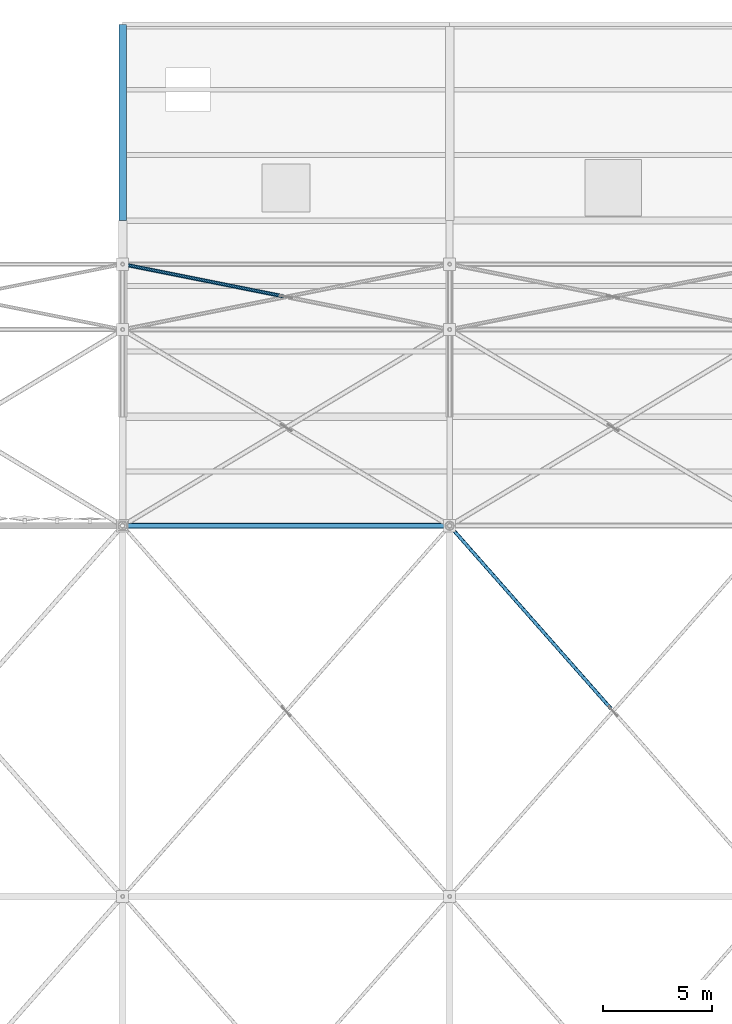
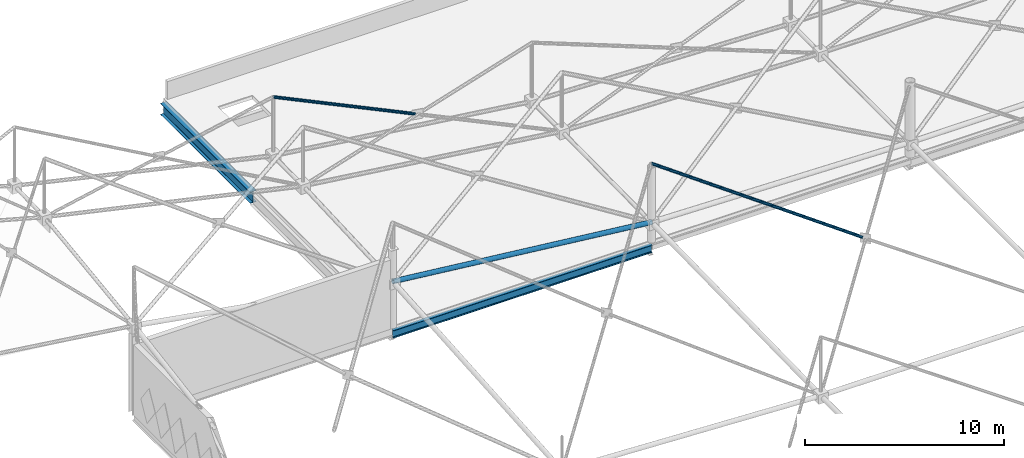
# One storey, part 88 of 224: 3 members, 2 beams.
"""IFC4 building model written with IfcOpenShell, lengths in metres."""

from ifc_helpers import new_model, si_unit, direction, frame, origin, origin_2d, place, context, subcontext, project, spatial, hollow_circle, i_section, extrude, material, material_profile, profile_set, type_object, element, save


model = new_model("IFC4")

# Units and contexts
model_context = context("Model", 3, precision=1e-05, world=origin(), true_north=direction((0.0, 1.0)))
body_context = subcontext(model_context, "Body", "Model", "MODEL_VIEW")
ifc_project = project(units=[si_unit("LENGTHUNIT", "METRE"), si_unit("AREAUNIT", "SQUARE_METRE"), si_unit("VOLUMEUNIT", "CUBIC_METRE"), si_unit("PLANEANGLEUNIT", "RADIAN"), si_unit("MASSUNIT", "GRAM", prefix="KILO")], contexts=[model_context])

# Site, building, storey
site_placement = place(None, origin())
site = spatial("IfcSite", under=ifc_project, at=site_placement, CompositionType="ELEMENT")
building_placement = place(site_placement, origin())
building = spatial("IfcBuilding", under=site, at=building_placement, Name="Qamarlyn Nura Convention Centre", CompositionType="ELEMENT")
storey_placement = place(building_placement, frame((0.0, 0.0, 10.800048828125)))
storey = spatial("IfcBuildingStorey", under=building, at=storey_placement, Name="L02", CompositionType="ELEMENT", Elevation=10.800048828125)

# Beams
ifc_material_1 = material(Name="Steel ASTM A992", Category="steel")
ifc_material_profile_1 = material_profile(ifc_material_1, i_section(OverallWidth=0.35498046875, OverallDepth=0.695068359375, WebThickness=0.015380859375, FlangeThickness=0.02490234375, FilletRadius=0.01806640625, at=origin_2d()), Name="W690X217")
ifc_profile_set_1 = profile_set([ifc_material_profile_1], Name="Steel ASTM A992")
beam_type_1 = type_object("IfcBeamType", Name="BM-GIRD-690A", PredefinedType="BEAM", material=ifc_profile_set_1)
beam_1_placement = place(storey_placement, frame((15.0, 117.0, -0.54248046875), z_axis=(0.0, 1.0, 0.0), x_axis=(-1.0, 0.0, 0.0)))
element("IfcBeam", 1, at=beam_1_placement, inside=storey, type_object=beam_type_1, Name="L02 girder 2 P-Q", PredefinedType="BEAM", context=body_context, shape_type="SweptSolid", body=[
    extrude(i_section(OverallWidth=0.35498046875, OverallDepth=0.695068359375, WebThickness=0.015380859375, FlangeThickness=0.02490234375, FilletRadius=0.01806640625, at=origin_2d()), origin(), (0.0, 0.0, 1.0), 9.0),
])
ifc_material_profile_2 = material_profile(ifc_material_1, i_section(OverallWidth=0.193115234375, OverallDepth=0.466064453125, WebThickness=0.011474609375, FlangeThickness=0.01904296875, FilletRadius=0.012939453125, at=origin_2d()), Name="W460X97")
ifc_profile_set_2 = profile_set([ifc_material_profile_2], Name="Steel ASTM A992")
beam_type_2 = type_object("IfcBeamType", Name="BM-SPAN-460", PredefinedType="SPANDREL", material=ifc_profile_set_2)
beam_2_placement = place(storey_placement, frame((15.0, 103.0, -0.427978515625), z_axis=(1.0, 0.0, 0.0), x_axis=(0.0, 1.0, 0.0)))
element("IfcBeam", 2, at=beam_2_placement, inside=storey, type_object=beam_type_2, Name="L02 girder M 2-3", PredefinedType="SPANDREL", context=body_context, shape_type="SweptSolid", body=[
    extrude(i_section(OverallWidth=0.193115234375, OverallDepth=0.466064453125, WebThickness=0.011474609375, FlangeThickness=0.01904296875, FilletRadius=0.012939453125, at=origin_2d()), origin(), (0.0, 0.0, 1.0), 15.0),
])

# Members
ifc_material_2 = material(Name="Pearl-white PVDF steel ASTM A500 Grade C", Category="steel")
ifc_material_profile_3 = material_profile(ifc_material_2, hollow_circle(Radius=0.136474609375, WallThickness=0.012451171875, at=origin_2d()), Name="CHS273X12.5")
ifc_profile_set_3 = profile_set([ifc_material_profile_3], Name="Pearl-white PVDF steel ASTM A500 Grade C")
member_type_1 = type_object("IfcMemberType", Name="SF-BC-MAIN", PredefinedType="CHORD", material=ifc_profile_set_3)
member_1_placement = place(storey_placement, frame((15.0, 103.0, 2.7685546875), z_axis=(0.994233236625, 0.0, -0.107239317368), x_axis=(0.0, 1.0, 0.0)))
element("IfcMember", 3, at=member_1_placement, inside=storey, type_object=member_type_1, Name="ROOF TRUSS space frame bottom chord X3-7", PredefinedType="CHORD", context=body_context, shape_type="SweptSolid", body=[
    extrude(hollow_circle(Radius=0.136474609375, WallThickness=0.012451171875, at=origin_2d()), origin(), (0.0, 0.0, 1.0), 15.0869140625),
])
ifc_material_profile_4 = material_profile(ifc_material_2, hollow_circle(Radius=0.084228515625, WallThickness=0.008056640625, at=origin_2d()), Name="CHS168.3X8")
ifc_profile_set_4 = profile_set([ifc_material_profile_4], Name="Pearl-white PVDF steel ASTM A500 Grade C")
member_type_2 = type_object("IfcMemberType", Name="SF-WEB-STD", PredefinedType="BRACE", material=ifc_profile_set_4)
member_2_placement = place(storey_placement, frame((22.370849609375, 113.52587890625, 4.0751953125), z_axis=(-0.921880066881, 0.18436990639, 0.340800351974), x_axis=(-0.196109889119, -0.980581924874, 0.0)))
element("IfcMember", 4, at=member_2_placement, inside=storey, type_object=member_type_2, Name="ROOF TRUSS space frame split diagonal B2 3-8", PredefinedType="BRACE", context=body_context, shape_type="SweptSolid", body=[
    extrude(hollow_circle(Radius=0.084228515625, WallThickness=0.008056640625, at=origin_2d()), origin(), (0.0, 0.0, 1.0), 7.995361328125),
])
member_3_placement = place(storey_placement, frame((37.40869140625, 94.603515625, 2.71875), z_axis=(-0.65099414135, 0.737790499878, 0.178526766108), x_axis=(-0.749836582836, -0.661623079284, 0.0)))
element("IfcMember", 5, at=member_3_placement, inside=storey, type_object=member_type_2, Name="ROOF TRUSS space frame split diagonal B2 4-6", PredefinedType="BRACE", context=body_context, shape_type="SweptSolid", body=[
    extrude(hollow_circle(Radius=0.084228515625, WallThickness=0.008056640625, at=origin_2d()), origin(), (0.0, 0.0, 1.0), 11.380615234375),
])

save(model, "model.ifc")
